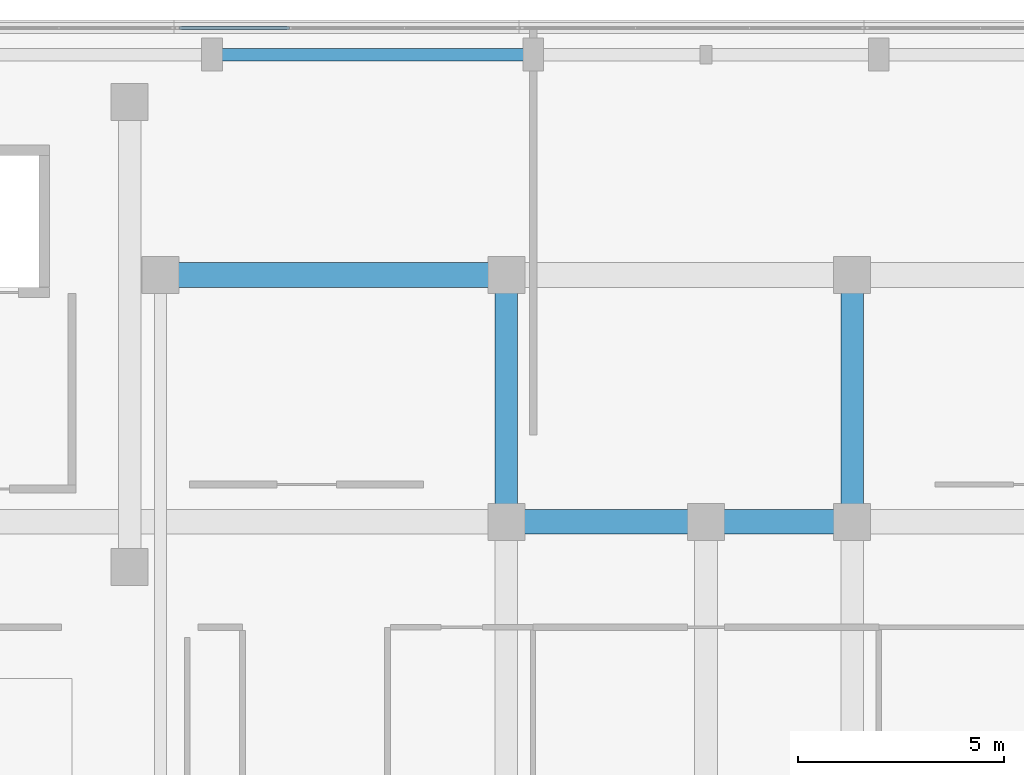
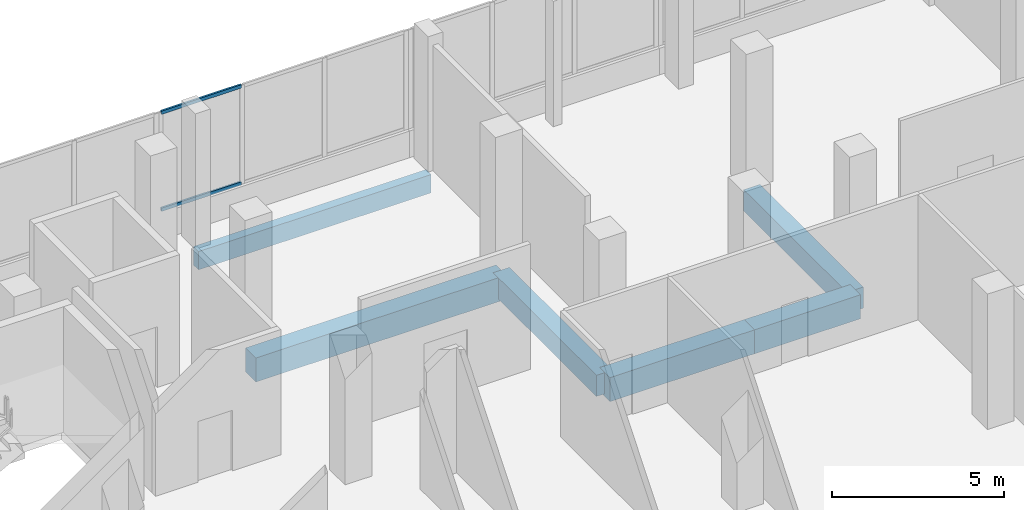
# One storey, part 117 of 168: 6 beams, 2 members, 1 element without a shape of its own.
"""IFC4 building model written with IfcOpenShell, lengths in metres."""

from ifc_helpers import new_model, si_unit, direction, frame, origin, origin_2d, place, context, subcontext, project, spatial, rectangle, hollow_rectangle, extrude, material, material_profile, profile_set, type_object, element, aggregate, save


model = new_model("IFC4")

# Units and contexts
model_context = context("Model", 3, precision=1e-05, world=origin(), true_north=direction((0.0, 1.0)))
body_context = subcontext(model_context, "Body", "Model", "MODEL_VIEW")
ifc_project = project(units=[si_unit("LENGTHUNIT", "METRE"), si_unit("AREAUNIT", "SQUARE_METRE"), si_unit("VOLUMEUNIT", "CUBIC_METRE"), si_unit("PLANEANGLEUNIT", "RADIAN"), si_unit("MASSUNIT", "GRAM", prefix="KILO")], contexts=[model_context])

# Site, building, storey
site_placement = place(None, origin())
site = spatial("IfcSite", under=ifc_project, at=site_placement, CompositionType="ELEMENT")
building_placement = place(site_placement, origin())
building = spatial("IfcBuilding", under=site, at=building_placement, Name="Selatvlak General Hospital", CompositionType="ELEMENT")
storey_placement = place(building_placement, frame((0.0, 0.0, 5.39990234375)))
storey = spatial("IfcBuildingStorey", under=building, at=storey_placement, Name="L01", CompositionType="ELEMENT", Elevation=5.39990234375)

# Beams
ifc_material_1 = material(Name="Concrete C40/50", Category="concrete")
ifc_material_profile_1 = material_profile(ifc_material_1, rectangle(XDim=0.60009765625, YDim=0.85009765625, at=origin_2d()), Name="RC-BM 600x850")
ifc_profile_set_1 = profile_set([ifc_material_profile_1], Name="Concrete C40/50")
beam_type_1 = type_object("IfcBeamType", Name="BM-G01", PredefinedType="BEAM", material=ifc_profile_set_1)
beam_1_placement = place(storey_placement, frame((156.550048828125, 108.0, -0.744873046875), z_axis=(1.0, 0.0, 0.0), x_axis=(0.0, 1.0, 0.0)))
element("IfcBeam", 1, at=beam_1_placement, inside=storey, type_object=beam_type_1, Name="Beam BMR-L01-0507", PredefinedType="BEAM", context=body_context, shape_type="SweptSolid", body=[
    extrude(rectangle(XDim=0.60009765625, YDim=0.85009765625, at=origin_2d()), origin(), (0.0, 0.0, 1.0), 4.849853515625),
])
beam_2_placement = place(storey_placement, frame((161.39990234375, 108.0, -0.744873046875), z_axis=(1.0, 0.0, 0.0), x_axis=(0.0, 1.0, 0.0)))
element("IfcBeam", 2, at=beam_2_placement, inside=storey, type_object=beam_type_1, Name="Beam BMR-L01-0508", PredefinedType="BEAM", context=body_context, shape_type="SweptSolid", body=[
    extrude(rectangle(XDim=0.60009765625, YDim=0.85009765625, at=origin_2d()), origin(), (0.0, 0.0, 1.0), 3.550048828125),
])
beam_3_placement = place(storey_placement, frame((148.14990234375, 114.0, -0.744873046875), z_axis=(1.0, 0.0, 0.0), x_axis=(0.0, 1.0, 0.0)))
element("IfcBeam", 3, at=beam_3_placement, inside=storey, type_object=beam_type_1, Name="Beam BMR-L01-0520", PredefinedType="BEAM", context=body_context, shape_type="SweptSolid", body=[
    extrude(rectangle(XDim=0.60009765625, YDim=0.85009765625, at=origin_2d()), origin(), (0.0, 0.0, 1.0), 8.400146484375),
])
ifc_material_profile_2 = material_profile(ifc_material_1, rectangle(XDim=0.550048828125, YDim=0.75, at=origin_2d()), Name="RC-BM 550x750")
ifc_profile_set_2 = profile_set([ifc_material_profile_2], Name="Concrete C40/50")
beam_type_2 = type_object("IfcBeamType", Name="BM-G02", PredefinedType="BEAM", material=ifc_profile_set_2)
for number, where, z_axis, x_axis, name in (
    (4, (156.550048828125, 108.0, -0.69482421875), (0.0, 1.0, 0.0), (-1.0, 0.0, 0.0), "Beam BMR-L01-0664"),
    (5, (164.949951171875, 108.0, -0.69482421875), (0.0, 1.0, 0.0), (-1.0, 0.0, 0.0), "Beam BMR-L01-0672"),
):
    element("IfcBeam", number, at=place(storey_placement, frame(where, z_axis=z_axis, x_axis=x_axis)), inside=storey, type_object=beam_type_2, Name=name, PredefinedType="BEAM", context=body_context, shape_type="SweptSolid", body=[
        extrude(rectangle(XDim=0.550048828125, YDim=0.75, at=origin_2d()), origin(), (0.0, 0.0, 1.0), 6.0),
    ])
ifc_material_profile_3 = material_profile(ifc_material_1, rectangle(XDim=0.300048828125, YDim=0.64990234375, at=origin_2d()), Name="RC-SP 300x650")
ifc_profile_set_3 = profile_set([ifc_material_profile_3], Name="Concrete C40/50")
beam_type_3 = type_object("IfcBeamType", Name="BM-SP1", PredefinedType="SPANDREL", material=ifc_profile_set_3)
beam_4_placement = place(storey_placement, frame((149.39990234375, 119.35009765625, -0.64501953125), z_axis=(1.0, 0.0, 0.0), x_axis=(0.0, 1.0, 0.0)))
element("IfcBeam", 6, at=beam_4_placement, inside=storey, type_object=beam_type_3, Name="Beam BMR-L01-0536", PredefinedType="SPANDREL", context=body_context, shape_type="SweptSolid", body=[
    extrude(rectangle(XDim=0.300048828125, YDim=0.64990234375, at=origin_2d()), origin(), (0.0, 0.0, 1.0), 7.800048828125),
])

# Curtain wall, members
ifc_material_2 = material(Name="Solar-control Low-E double glazing", Category="glass")
curtain_wall_type = type_object("IfcCurtainWallType", Name="CW-CW-01", PredefinedType="USERDEFINED", material=ifc_material_2)
curtain_wall_placement = place(storey_placement, origin())
curtain_wall = element("IfcCurtainWall", 7, at=curtain_wall_placement, inside=storey, type_object=curtain_wall_type, Name="Glazed facade curtain wall CW-L01-0128", ObjectType="UNITISED CURTAIN WALL", PredefinedType="USERDEFINED")
ifc_material_3 = material(Name="Dark anodised aluminium mullion", Category="aluminium")
ifc_material_profile_4 = material_profile(ifc_material_3, hollow_rectangle(XDim=0.06494140625, YDim=0.1201171875, WallThickness=0.00390625, at=origin_2d()), Name="AL-TRN 65x120x4")
ifc_profile_set_4 = profile_set([ifc_material_profile_4], Name="Dark anodised aluminium mullion")
member_type = type_object("IfcMemberType", Name="CWT-01", PredefinedType="USERDEFINED", material=ifc_profile_set_4)
member_1_placement = place(storey_placement, frame((148.60888671875, 120.0, 0.97265625), z_axis=(1.0, 0.0, 0.0), x_axis=(0.0, 1.0, 0.0)))
member_1 = element("IfcMember", 8, at=member_1_placement, type_object=member_type, Name="CW-01 transom 1.1", ObjectType="TRANSOM", PredefinedType="USERDEFINED", context=body_context, shape_type="SweptSolid", body=[
    extrude(hollow_rectangle(XDim=0.06494140625, YDim=0.1201171875, WallThickness=0.00390625, at=origin_2d()), origin(), (0.0, 0.0, 1.0), 2.669189453125),
])
member_2_placement = place(storey_placement, frame((148.60888671875, 120.0, 4.41259765625), z_axis=(1.0, 0.0, 0.0), x_axis=(0.0, 1.0, 0.0)))
member_2 = element("IfcMember", 9, at=member_2_placement, type_object=member_type, Name="CW-01 transom 1.2", ObjectType="TRANSOM", PredefinedType="USERDEFINED", context=body_context, shape_type="SweptSolid", body=[
    extrude(hollow_rectangle(XDim=0.06494140625, YDim=0.1201171875, WallThickness=0.00390625, at=origin_2d()), origin(), (0.0, 0.0, 1.0), 2.669189453125),
])
aggregate(curtain_wall, [member_1, member_2])

save(model, "model.ifc")
